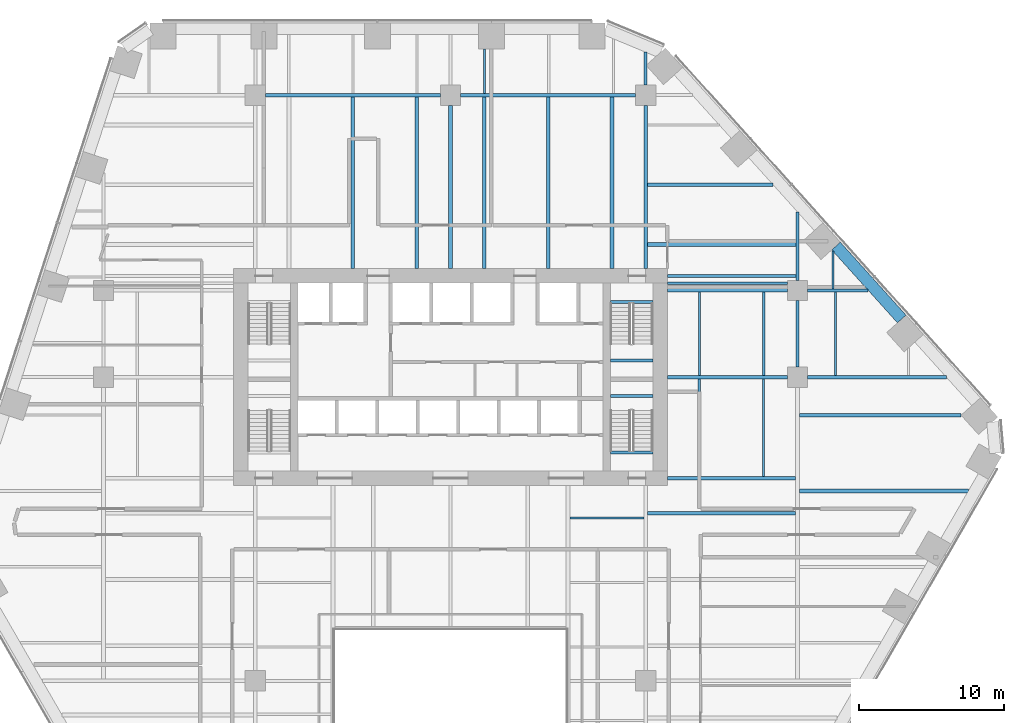
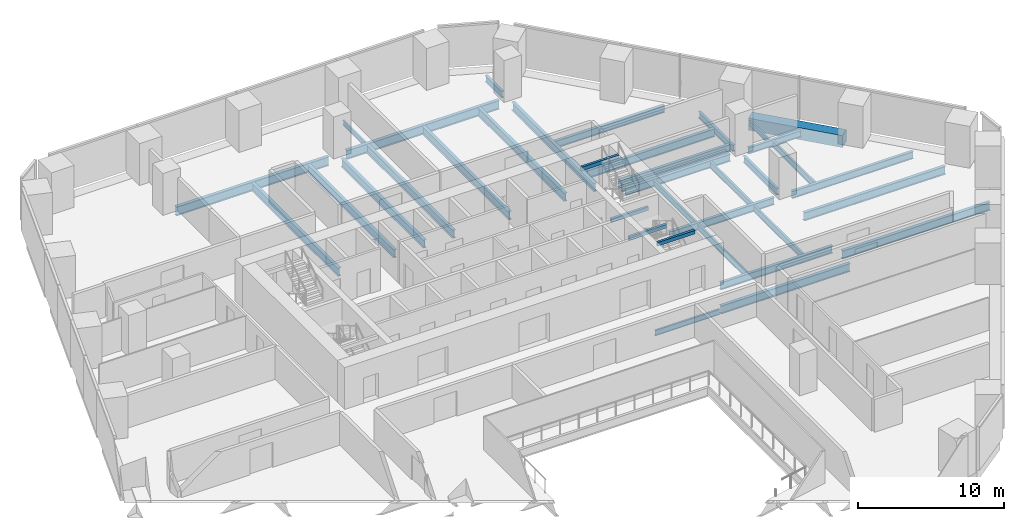
# One storey, part 9 of 20: 37 beams.
"""IFC4 building model written with IfcOpenShell, lengths in metres."""

from ifc_helpers import new_model, si_unit, direction, frame, origin, origin_2d, place, context, subcontext, project, spatial, rectangle, i_section, extrude, material, material_profile, profile_set, type_object, element, save


model = new_model("IFC4")

# Units and contexts
model_context = context("Model", 3, precision=1e-05, world=origin(), true_north=direction((0.0, 1.0)))
body_context = subcontext(model_context, "Body", "Model", "MODEL_VIEW")
ifc_project = project(units=[si_unit("LENGTHUNIT", "METRE"), si_unit("AREAUNIT", "SQUARE_METRE"), si_unit("VOLUMEUNIT", "CUBIC_METRE"), si_unit("PLANEANGLEUNIT", "RADIAN"), si_unit("MASSUNIT", "GRAM", prefix="KILO")], contexts=[model_context])

# Site, building, storey
site_placement = place(None, origin())
site = spatial("IfcSite", under=ifc_project, at=site_placement, CompositionType="ELEMENT")
building_placement = place(site_placement, origin())
building = spatial("IfcBuilding", under=site, at=building_placement, Name="Isthmus Gate Tower", CompositionType="ELEMENT")
storey_placement = place(building_placement, frame((0.0, 0.0, 61.550048828125)))
storey = spatial("IfcBuildingStorey", under=building, at=storey_placement, Name="L13", CompositionType="ELEMENT", Elevation=61.550048828125)

# Beams
ifc_material_1 = material(Name="Concrete f'c 70 MPa", Category="concrete")
ifc_material_profile_1 = material_profile(ifc_material_1, rectangle(XDim=0.800048828125, YDim=1.0, at=origin_2d()), Name="RC 800X1000")
ifc_profile_set_1 = profile_set([ifc_material_profile_1], Name="Concrete f'c 70 MPa")
beam_type_1 = type_object("IfcBeamType", Name="RC SPANDREL 800 X 1000", PredefinedType="SPANDREL", material=ifc_profile_set_1)
beam_1_placement = place(storey_placement, frame((26.664794921875, 16.566162109375, -0.5), z_axis=(0.669117690519, -0.743156454748, 0.0), x_axis=(0.743156454748, 0.669117690519, 0.0)))
element("IfcBeam", 1, at=beam_1_placement, inside=storey, type_object=beam_type_1, Name="str-spandrel-L13-03", PredefinedType="SPANDREL", context=body_context, shape_type="SweptSolid", body=[
    extrude(rectangle(XDim=0.800048828125, YDim=1.0, at=origin_2d()), origin(), (0.0, 0.0, 1.0), 6.78955078125),
])
ifc_material_2 = material(Name="Concrete f'c 40 MPa", Category="concrete")
ifc_material_profile_2 = material_profile(ifc_material_2, rectangle(XDim=0.199951171875, YDim=0.300048828125, at=origin_2d()), Name="STAIR LANDING BEAM RC 200 X 300")
ifc_profile_set_2 = profile_set([ifc_material_profile_2], Name="Concrete f'c 40 MPa")
beam_type_2 = type_object("IfcBeamType", Name="STAIR LANDING BEAM RC 200 X 300", PredefinedType="BEAM", material=ifc_profile_set_2)
for number, where, z_axis, x_axis, name in (
    (2, (11.050048828125, 8.64990234375, 1.474853515625), (1.0, 0.0, 0.0), (0.0, 1.0, 0.0), "L13 ST2 landing beam 1"),
    (3, (11.050048828125, 12.7001953125, 3.349853515625), (1.0, 0.0, 0.0), (0.0, 1.0, 0.0), "L13 ST2 floor-edge seat beam"),
    (4, (11.050048828125, 6.199951171875, 1.474853515625), (1.0, 0.0, 0.0), (0.0, 1.0, 0.0), "L13 ST8 landing beam 1"),
    (5, (11.050048828125, 2.2998046875, 3.349853515625), (1.0, 0.0, 0.0), (0.0, 1.0, 0.0), "L13 ST8 floor-edge seat beam"),
):
    element("IfcBeam", number, at=place(storey_placement, frame(where, z_axis=z_axis, x_axis=x_axis)), inside=storey, type_object=beam_type_2, Name=name, PredefinedType="BEAM", context=body_context, shape_type="SweptSolid", body=[
        extrude(rectangle(XDim=0.199951171875, YDim=0.300048828125, at=origin_2d()), origin(), (0.0, 0.0, 1.0), 2.949951171875),
    ])
ifc_material_3 = material(Name="Structural steel ASTM A992 Gr 50", Category="steel")
ifc_material_profile_3 = material_profile(ifc_material_3, i_section(OverallWidth=0.1396484375, OverallDepth=0.4033203125, WebThickness=0.00634765625, FlangeThickness=0.010986328125, at=origin_2d()), Name="W16X31")
ifc_profile_set_3 = profile_set([ifc_material_profile_3], Name="Structural steel ASTM A992 Gr 50")
beam_type_3 = type_object("IfcBeamType", Name="STEEL FLOOR BEAM W16X31", PredefinedType="JOIST", material=ifc_profile_set_3)
beam_2_placement = place(storey_placement, frame((2.33740234375, 27.1318359375, -0.3515625), z_axis=(0.0, 1.0, 0.0), x_axis=(-1.0, 0.0, 0.0)))
element("IfcBeam", 6, at=beam_2_placement, inside=storey, type_object=beam_type_3, Name="str-beam-L13-19-00", PredefinedType="JOIST", context=body_context, shape_type="SweptSolid", body=[
    extrude(i_section(OverallWidth=0.1396484375, OverallDepth=0.4033203125, WebThickness=0.00634765625, FlangeThickness=0.010986328125, at=origin_2d()), origin(), (0.0, 0.0, 1.0), 3.068115234375),
])
beam_3_placement = place(storey_placement, frame((26.448974609375, 13.604736328125, -0.3515625), z_axis=(0.0, 1.0, 0.0), x_axis=(-1.0, 0.0, 0.0)))
element("IfcBeam", 7, at=beam_3_placement, inside=storey, type_object=beam_type_3, Name="str-beam-L13-32-00", PredefinedType="JOIST", context=body_context, shape_type="SweptSolid", body=[
    extrude(i_section(OverallWidth=0.1396484375, OverallDepth=0.4033203125, WebThickness=0.00634765625, FlangeThickness=0.010986328125, at=origin_2d()), origin(), (0.0, 0.0, 1.0), 2.603515625),
])
ifc_material_4 = material(Name="Structural steel ASTM A992 Gr 50", Category="steel")
ifc_material_profile_4 = material_profile(ifc_material_4, i_section(OverallWidth=0.15234375, OverallDepth=0.45068359375, WebThickness=0.0078125, FlangeThickness=0.010986328125, at=origin_2d()), Name="W18X35")
ifc_profile_set_4 = profile_set([ifc_material_profile_4], Name="Structural steel ASTM A992 Gr 50")
beam_type_4 = type_object("IfcBeamType", Name="STEEL FLOOR BEAM W18X35", PredefinedType="JOIST", material=ifc_profile_set_4)
beam_4_placement = place(storey_placement, frame((8.263427734375, -2.232421875, -0.37548828125), z_axis=(1.0, 0.0, 0.0), x_axis=(0.0, 1.0, 0.0)))
element("IfcBeam", 8, at=beam_4_placement, inside=storey, type_object=beam_type_4, Name="str-beam-L13-23-02", PredefinedType="JOIST", context=body_context, shape_type="SweptSolid", body=[
    extrude(i_section(OverallWidth=0.15234375, OverallDepth=0.45068359375, WebThickness=0.0078125, FlangeThickness=0.010986328125, at=origin_2d()), origin(), (0.0, 0.0, 1.0), 5.104736328125),
])
ifc_material_5 = material(Name="Structural steel ASTM A992 Gr 50", Category="steel")
ifc_material_profile_5 = material_profile(ifc_material_5, i_section(OverallWidth=0.1650390625, OverallDepth=0.52392578125, WebThickness=0.009521484375, FlangeThickness=0.010986328125, at=origin_2d()), Name="W21X44")
ifc_profile_set_5 = profile_set([ifc_material_profile_5], Name="Structural steel ASTM A992 Gr 50")
beam_type_5 = type_object("IfcBeamType", Name="STEEL FLOOR BEAM W21X44", PredefinedType="JOIST", material=ifc_profile_set_5)
for number, where, z_axis, x_axis, name in (
    (9, (17.223876953125, 7.6142578125, -0.412109375), (0.0, 1.0, 0.0), (-1.0, 0.0, 0.0), "str-beam-L13-30-00"),
    (10, (21.67138671875, 7.6142578125, -0.412109375), (0.0, 1.0, 0.0), (-1.0, 0.0, 0.0), "str-beam-L13-30-01"),
):
    element("IfcBeam", number, at=place(storey_placement, frame(where, z_axis=z_axis, x_axis=x_axis)), inside=storey, type_object=beam_type_5, Name=name, PredefinedType="JOIST", context=body_context, shape_type="SweptSolid", body=[
        extrude(i_section(OverallWidth=0.1650390625, OverallDepth=0.52392578125, WebThickness=0.009521484375, FlangeThickness=0.010986328125, at=origin_2d()), origin(), (0.0, 0.0, 1.0), 5.771484375),
    ])
for number, where, z_axis, x_axis, name in (
    (11, (17.216552734375, 0.6142578125, -0.412109375), (0.0, 1.0, 0.0), (-1.0, 0.0, 0.0), "str-beam-L13-31-00"),
    (12, (21.64990234375, 0.6142578125, -0.412109375), (0.0, 1.0, 0.0), (-1.0, 0.0, 0.0), "str-beam-L13-31-01"),
):
    element("IfcBeam", number, at=place(storey_placement, frame(where, z_axis=z_axis, x_axis=x_axis)), inside=storey, type_object=beam_type_5, Name=name, PredefinedType="JOIST", context=body_context, shape_type="SweptSolid", body=[
        extrude(i_section(OverallWidth=0.1650390625, OverallDepth=0.52392578125, WebThickness=0.009521484375, FlangeThickness=0.010986328125, at=origin_2d()), origin(), (0.0, 0.0, 1.0), 6.771484375),
    ])
beam_5_placement = place(storey_placement, frame((26.625244140625, 7.6142578125, -0.412109375), z_axis=(0.0, 1.0, 0.0), x_axis=(-1.0, 0.0, 0.0)))
element("IfcBeam", 13, at=beam_5_placement, inside=storey, type_object=beam_type_5, Name="str-beam-L13-33-00", PredefinedType="JOIST", context=body_context, shape_type="SweptSolid", body=[
    extrude(i_section(OverallWidth=0.1650390625, OverallDepth=0.52392578125, WebThickness=0.009521484375, FlangeThickness=0.010986328125, at=origin_2d()), origin(), (0.0, 0.0, 1.0), 5.781005859375),
])
ifc_material_6 = material(Name="Structural steel ASTM A992 Gr 50", Category="steel")
ifc_material_profile_6 = material_profile(ifc_material_6, i_section(OverallWidth=0.177734375, OverallDepth=0.60009765625, WebThickness=0.009521484375, FlangeThickness=0.0126953125, at=origin_2d()), Name="W24X55")
ifc_profile_set_6 = profile_set([ifc_material_profile_6], Name="Structural steel ASTM A992 Gr 50")
beam_type_6 = type_object("IfcBeamType", Name="STEEL FLOOR BEAM W24X55", PredefinedType="JOIST", material=ifc_profile_set_6)
beam_6_placement = place(storey_placement, frame((15.0, 14.0, -0.4501953125), z_axis=(1.0, 0.0, 0.0), x_axis=(0.0, 1.0, 0.0)))
element("IfcBeam", 14, at=beam_6_placement, inside=storey, type_object=beam_type_6, Name="str-beam-L13-29-00", PredefinedType="JOIST", context=body_context, shape_type="SweptSolid", body=[
    extrude(i_section(OverallWidth=0.177734375, OverallDepth=0.60009765625, WebThickness=0.009521484375, FlangeThickness=0.0126953125, at=origin_2d()), origin(), (0.0, 0.0, 1.0), 8.300048828125),
])
ifc_material_7 = material(Name="Structural steel ASTM A992 Gr 50", Category="steel")
ifc_material_profile_7 = material_profile(ifc_material_7, i_section(OverallWidth=0.228515625, OverallDepth=0.603271484375, WebThickness=0.010986328125, FlangeThickness=0.014404296875, at=origin_2d()), Name="W24X68")
ifc_profile_set_7 = profile_set([ifc_material_profile_7], Name="Structural steel ASTM A992 Gr 50")
beam_type_7 = type_object("IfcBeamType", Name="STEEL FLOOR BEAM W24X68", PredefinedType="JOIST", material=ifc_profile_set_7)
beam_7_placement = place(storey_placement, frame((13.626953125, 20.80712890625, -0.45166015625), z_axis=(1.0, 0.0, 0.0), x_axis=(0.0, 1.0, 0.0)))
element("IfcBeam", 15, at=beam_7_placement, inside=storey, type_object=beam_type_7, Name="str-beam-L13-26-01", PredefinedType="JOIST", context=body_context, shape_type="SweptSolid", body=[
    extrude(i_section(OverallWidth=0.228515625, OverallDepth=0.603271484375, WebThickness=0.010986328125, FlangeThickness=0.014404296875, at=origin_2d()), origin(), (0.0, 0.0, 1.0), 8.680908203125),
])
ifc_material_8 = material(Name="Structural steel ASTM A992 Gr 50", Category="steel")
ifc_material_profile_8 = material_profile(ifc_material_8, i_section(OverallWidth=0.25390625, OverallDepth=0.679443359375, WebThickness=0.010986328125, FlangeThickness=0.015869140625, at=origin_2d()), Name="W27X84")
ifc_profile_set_8 = profile_set([ifc_material_profile_8], Name="Structural steel ASTM A992 Gr 50")
beam_type_8 = type_object("IfcBeamType", Name="STEEL FLOOR BEAM W27X84", PredefinedType="JOIST", material=ifc_profile_set_8)
for number, where, z_axis, x_axis, name in (
    (16, (-6.75, 15.0, -0.48974609375), (0.0, 1.0, 0.0), (-1.0, 0.0, 0.0), "str-beam-L13-13-01"),
    (17, (-2.334716796875, 15.0, -0.48974609375), (0.0, 1.0, 0.0), (-1.0, 0.0, 0.0), "str-beam-L13-13-02"),
    (18, (2.334716796875, 15.0, -0.48974609375), (0.0, 1.0, 0.0), (-1.0, 0.0, 0.0), "str-beam-L13-20-00"),
    (19, (6.75, 15.0, -0.48974609375), (0.0, 1.0, 0.0), (-1.0, 0.0, 0.0), "str-beam-L13-20-01"),
    (20, (11.165283203125, 15.0, -0.48974609375), (0.0, 1.0, 0.0), (-1.0, 0.0, 0.0), "str-beam-L13-20-02"),
):
    element("IfcBeam", number, at=place(storey_placement, frame(where, z_axis=z_axis, x_axis=x_axis)), inside=storey, type_object=beam_type_8, Name=name, PredefinedType="JOIST", context=body_context, shape_type="SweptSolid", body=[
        extrude(i_section(OverallWidth=0.25390625, OverallDepth=0.679443359375, WebThickness=0.010986328125, FlangeThickness=0.015869140625, at=origin_2d()), origin(), (0.0, 0.0, 1.0), 11.8681640625),
    ])
beam_8_placement = place(storey_placement, frame((13.626953125, 16.678466796875, -0.48974609375), z_axis=(1.0, 0.0, 0.0), x_axis=(0.0, 1.0, 0.0)))
element("IfcBeam", 21, at=beam_8_placement, inside=storey, type_object=beam_type_8, Name="str-beam-L13-26-00", PredefinedType="JOIST", context=body_context, shape_type="SweptSolid", body=[
    extrude(i_section(OverallWidth=0.25390625, OverallDepth=0.679443359375, WebThickness=0.010986328125, FlangeThickness=0.015869140625, at=origin_2d()), origin(), (0.0, 0.0, 1.0), 10.268310546875),
])
beam_9_placement = place(storey_placement, frame((13.6318359375, -1.90625, -0.48974609375), z_axis=(1.0, 0.0, 0.0), x_axis=(0.0, 1.0, 0.0)))
element("IfcBeam", 22, at=beam_9_placement, inside=storey, type_object=beam_type_8, Name="str-beam-L13-27-02", PredefinedType="JOIST", context=body_context, shape_type="SweptSolid", body=[
    extrude(i_section(OverallWidth=0.25390625, OverallDepth=0.679443359375, WebThickness=0.010986328125, FlangeThickness=0.015869140625, at=origin_2d()), origin(), (0.0, 0.0, 1.0), 10.23486328125),
])
beam_10_placement = place(storey_placement, frame((24.13330078125, -0.375, -0.48974609375), z_axis=(1.0, 0.0, 0.0), x_axis=(0.0, 1.0, 0.0)))
element("IfcBeam", 23, at=beam_10_placement, inside=storey, type_object=beam_type_8, Name="str-beam-L13-34-02", PredefinedType="JOIST", context=body_context, shape_type="SweptSolid", body=[
    extrude(i_section(OverallWidth=0.25390625, OverallDepth=0.679443359375, WebThickness=0.010986328125, FlangeThickness=0.015869140625, at=origin_2d()), origin(), (0.0, 0.0, 1.0), 11.6767578125),
])
beam_11_placement = place(storey_placement, frame((24.13330078125, 4.875, -0.48974609375), z_axis=(1.0, 0.0, 0.0), x_axis=(0.0, 1.0, 0.0)))
element("IfcBeam", 24, at=beam_11_placement, inside=storey, type_object=beam_type_8, Name="str-beam-L13-34-03", PredefinedType="JOIST", context=body_context, shape_type="SweptSolid", body=[
    extrude(i_section(OverallWidth=0.25390625, OverallDepth=0.679443359375, WebThickness=0.010986328125, FlangeThickness=0.015869140625, at=origin_2d()), origin(), (0.0, 0.0, 1.0), 11.185302734375),
])
ifc_material_9 = material(Name="Structural steel ASTM A992 Gr 50", Category="steel")
ifc_material_profile_9 = material_profile(ifc_material_9, i_section(OverallWidth=0.20947265625, OverallDepth=0.533447265625, WebThickness=0.009521484375, FlangeThickness=0.015869140625, at=origin_2d()), Name="W21X62")
ifc_profile_set_9 = profile_set([ifc_material_profile_9], Name="Structural steel ASTM A992 Gr 50")
beam_type_9 = type_object("IfcBeamType", Name="STEEL GIRDER W21X62", PredefinedType="BEAM", material=ifc_profile_set_9)
beam_12_placement = place(storey_placement, frame((24.699951171875, 13.5, -0.416748046875), z_axis=(1.0, 0.0, 0.0), x_axis=(0.0, 1.0, 0.0)))
element("IfcBeam", 25, at=beam_12_placement, inside=storey, type_object=beam_type_9, Name="str-girder-L13-15", PredefinedType="BEAM", context=body_context, shape_type="SweptSolid", body=[
    extrude(i_section(OverallWidth=0.20947265625, OverallDepth=0.533447265625, WebThickness=0.009521484375, FlangeThickness=0.015869140625, at=origin_2d()), origin(), (0.0, 0.0, 1.0), 4.187255859375),
])
beam_13_placement = place(storey_placement, frame((13.5, 27.699951171875, -0.416748046875), z_axis=(0.0, 1.0, 0.0), x_axis=(-1.0, 0.0, 0.0)))
element("IfcBeam", 26, at=beam_13_placement, inside=storey, type_object=beam_type_9, Name="str-girder-L13-34", PredefinedType="BEAM", context=body_context, shape_type="SweptSolid", body=[
    extrude(i_section(OverallWidth=0.20947265625, OverallDepth=0.533447265625, WebThickness=0.009521484375, FlangeThickness=0.015869140625, at=origin_2d()), origin(), (0.0, 0.0, 1.0), 2.27001953125),
])
beam_14_placement = place(storey_placement, frame((24.0, 8.199951171875, -0.416748046875), z_axis=(0.0, 1.0, 0.0), x_axis=(-1.0, 0.0, 0.0)))
element("IfcBeam", 27, at=beam_14_placement, inside=storey, type_object=beam_type_9, Name="str-girder-L13-36", PredefinedType="BEAM", context=body_context, shape_type="SweptSolid", body=[
    extrude(i_section(OverallWidth=0.20947265625, OverallDepth=0.533447265625, WebThickness=0.009521484375, FlangeThickness=0.015869140625, at=origin_2d()), origin(), (0.0, 0.0, 1.0), 4.60009765625),
])
beam_15_placement = place(storey_placement, frame((24.0, 14.199951171875, -0.416748046875), z_axis=(0.0, 1.0, 0.0), x_axis=(-1.0, 0.0, 0.0)))
element("IfcBeam", 28, at=beam_15_placement, inside=storey, type_object=beam_type_9, Name="str-girder-L13-37", PredefinedType="BEAM", context=body_context, shape_type="SweptSolid", body=[
    extrude(i_section(OverallWidth=0.20947265625, OverallDepth=0.533447265625, WebThickness=0.009521484375, FlangeThickness=0.015869140625, at=origin_2d()), origin(), (0.0, 0.0, 1.0), 4.72802734375),
])
ifc_material_10 = material(Name="Structural steel ASTM A992 Gr 50", Category="steel")
ifc_material_profile_10 = material_profile(ifc_material_10, i_section(OverallWidth=0.228515625, OverallDepth=0.6064453125, WebThickness=0.010986328125, FlangeThickness=0.017578125, at=origin_2d()), Name="W24X76")
ifc_profile_set_10 = profile_set([ifc_material_profile_10], Name="Structural steel ASTM A992 Gr 50")
beam_type_10 = type_object("IfcBeamType", Name="STEEL GIRDER W24X76", PredefinedType="BEAM", material=ifc_profile_set_10)
beam_16_placement = place(storey_placement, frame((15.0, 7.5, -0.453369140625), z_axis=(1.0, 0.0, 0.0), x_axis=(0.0, 1.0, 0.0)))
element("IfcBeam", 29, at=beam_16_placement, inside=storey, type_object=beam_type_10, Name="str-girder-L13-11", PredefinedType="BEAM", context=body_context, shape_type="SweptSolid", body=[
    extrude(i_section(OverallWidth=0.228515625, OverallDepth=0.6064453125, WebThickness=0.010986328125, FlangeThickness=0.017578125, at=origin_2d()), origin(), (0.0, 0.0, 1.0), 8.300048828125),
])
beam_17_placement = place(storey_placement, frame((24.699951171875, 7.5, -0.453369140625), z_axis=(1.0, 0.0, 0.0), x_axis=(0.0, 1.0, 0.0)))
element("IfcBeam", 30, at=beam_17_placement, inside=storey, type_object=beam_type_10, Name="str-girder-L13-12", PredefinedType="BEAM", context=body_context, shape_type="SweptSolid", body=[
    extrude(i_section(OverallWidth=0.228515625, OverallDepth=0.6064453125, WebThickness=0.010986328125, FlangeThickness=0.017578125, at=origin_2d()), origin(), (0.0, 0.0, 1.0), 9.58984375),
])
beam_18_placement = place(storey_placement, frame((15.0, 13.5, -0.453369140625), z_axis=(1.0, 0.0, 0.0), x_axis=(0.0, 1.0, 0.0)))
element("IfcBeam", 31, at=beam_18_placement, inside=storey, type_object=beam_type_10, Name="str-girder-L13-14", PredefinedType="BEAM", context=body_context, shape_type="SweptSolid", body=[
    extrude(i_section(OverallWidth=0.228515625, OverallDepth=0.6064453125, WebThickness=0.010986328125, FlangeThickness=0.017578125, at=origin_2d()), origin(), (0.0, 0.0, 1.0), 8.300048828125),
])
beam_19_placement = place(storey_placement, frame((15.0, 0.5, -0.453369140625), z_axis=(1.0, 0.0, 0.0), x_axis=(0.0, 1.0, 0.0)))
element("IfcBeam", 32, at=beam_19_placement, inside=storey, type_object=beam_type_10, Name="str-girder-L13-39", PredefinedType="BEAM", context=body_context, shape_type="SweptSolid", body=[
    extrude(i_section(OverallWidth=0.228515625, OverallDepth=0.6064453125, WebThickness=0.010986328125, FlangeThickness=0.017578125, at=origin_2d()), origin(), (0.0, 0.0, 1.0), 8.86669921875),
])
beam_20_placement = place(storey_placement, frame((15.0, 14.5, -0.453369140625), z_axis=(1.0, 0.0, 0.0), x_axis=(0.0, 1.0, 0.0)))
element("IfcBeam", 33, at=beam_20_placement, inside=storey, type_object=beam_type_10, Name="str-girder-L13-41", PredefinedType="BEAM", context=body_context, shape_type="SweptSolid", body=[
    extrude(i_section(OverallWidth=0.228515625, OverallDepth=0.6064453125, WebThickness=0.010986328125, FlangeThickness=0.017578125, at=origin_2d()), origin(), (0.0, 0.0, 1.0), 8.895263671875),
])
ifc_material_11 = material(Name="Structural steel ASTM A992 Gr 50", Category="steel")
ifc_material_profile_11 = material_profile(ifc_material_11, i_section(OverallWidth=0.25390625, OverallDepth=0.679443359375, WebThickness=0.010986328125, FlangeThickness=0.015869140625, at=origin_2d()), Name="W27X84")
ifc_profile_set_11 = profile_set([ifc_material_profile_11], Name="Structural steel ASTM A992 Gr 50")
beam_type_11 = type_object("IfcBeamType", Name="STEEL GIRDER W27X84", PredefinedType="BEAM", material=ifc_profile_set_11)
for number, where, z_axis, x_axis, name in (
    (34, (0.0, 15.0, -0.48974609375), (0.0, 1.0, 0.0), (-1.0, 0.0, 0.0), "str-girder-L13-29"),
    (35, (13.5, 15.0, -0.48974609375), (0.0, 1.0, 0.0), (-1.0, 0.0, 0.0), "str-girder-L13-33"),
):
    element("IfcBeam", number, at=place(storey_placement, frame(where, z_axis=z_axis, x_axis=x_axis)), inside=storey, type_object=beam_type_11, Name=name, PredefinedType="BEAM", context=body_context, shape_type="SweptSolid", body=[
        extrude(i_section(OverallWidth=0.25390625, OverallDepth=0.679443359375, WebThickness=0.010986328125, FlangeThickness=0.015869140625, at=origin_2d()), origin(), (0.0, 0.0, 1.0), 11.300048828125),
    ])
ifc_material_12 = material(Name="Structural steel ASTM A992 Gr 50", Category="steel")
ifc_material_profile_12 = material_profile(ifc_material_12, i_section(OverallWidth=0.263427734375, OverallDepth=0.749267578125, WebThickness=0.0126953125, FlangeThickness=0.015869140625, at=origin_2d()), Name="W30X90")
ifc_profile_set_12 = profile_set([ifc_material_profile_12], Name="Structural steel ASTM A992 Gr 50")
beam_type_12 = type_object("IfcBeamType", Name="STEEL GIRDER W30X90", PredefinedType="BEAM", material=ifc_profile_set_12)
for number, where, z_axis, x_axis, name in (
    (36, (-12.800048828125, 27.0, -0.524658203125), (1.0, 0.0, 0.0), (0.0, 1.0, 0.0), "str-girder-L13-17"),
    (37, (0.699951171875, 27.0, -0.524658203125), (1.0, 0.0, 0.0), (0.0, 1.0, 0.0), "str-girder-L13-18"),
):
    element("IfcBeam", number, at=place(storey_placement, frame(where, z_axis=z_axis, x_axis=x_axis)), inside=storey, type_object=beam_type_12, Name=name, PredefinedType="BEAM", context=body_context, shape_type="SweptSolid", body=[
        extrude(i_section(OverallWidth=0.263427734375, OverallDepth=0.749267578125, WebThickness=0.0126953125, FlangeThickness=0.015869140625, at=origin_2d()), origin(), (0.0, 0.0, 1.0), 12.10009765625),
    ])

save(model, "model.ifc")
